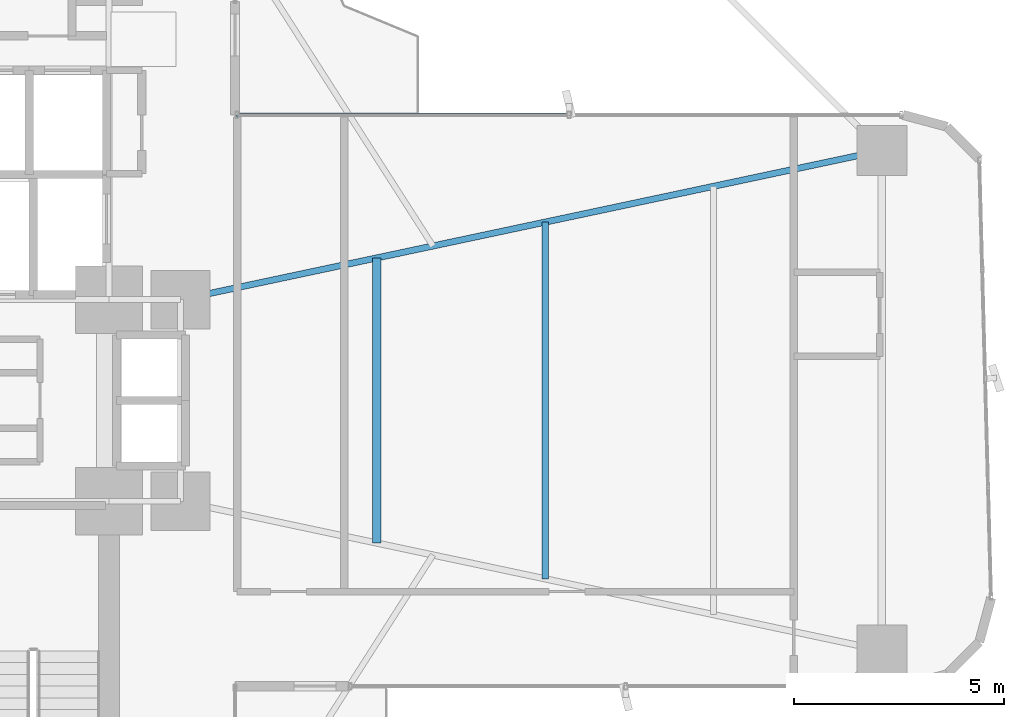
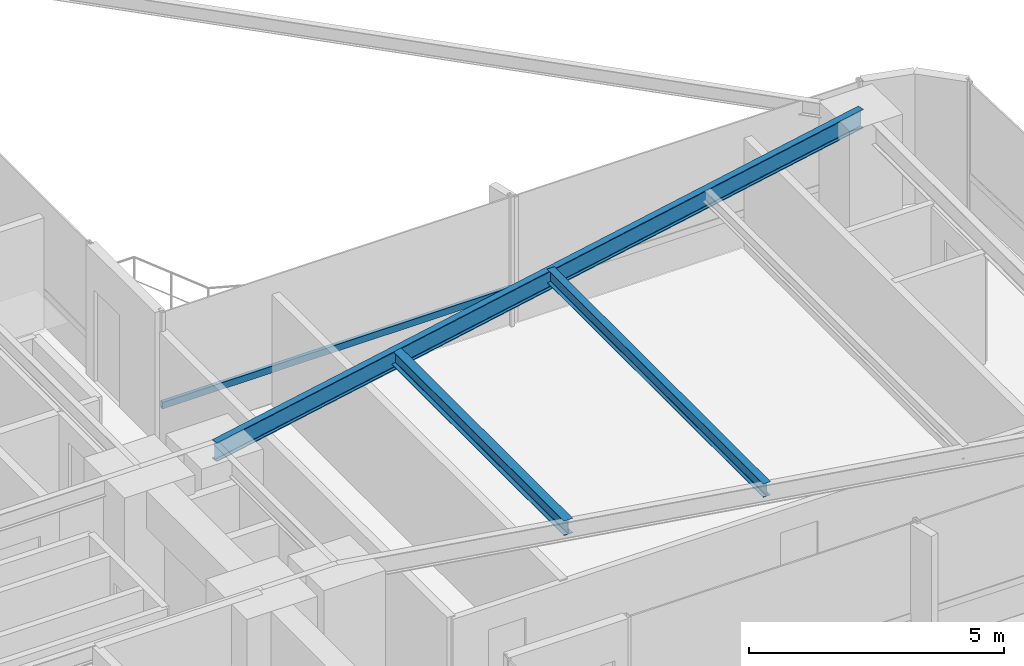
# One storey, part 15 of 25: 3 beams, 1 member, 1 element without a shape of its own.
"""IFC4 building model written with IfcOpenShell, lengths in metres."""

from ifc_helpers import new_model, si_unit, direction, frame, origin, origin_2d, place, context, subcontext, project, spatial, hollow_rectangle, i_section, extrude, source, transform, mapped, material, material_profile, profile_set, type_object, element, aggregate, save


model = new_model("IFC4")

# Units and contexts
model_context = context("Model", 3, precision=1e-05, world=origin(), true_north=direction((0.0, 1.0)))
body_context = subcontext(model_context, "Body", "Model", "MODEL_VIEW")
ifc_project = project(units=[si_unit("LENGTHUNIT", "METRE"), si_unit("AREAUNIT", "SQUARE_METRE"), si_unit("VOLUMEUNIT", "CUBIC_METRE"), si_unit("PLANEANGLEUNIT", "RADIAN"), si_unit("MASSUNIT", "GRAM", prefix="KILO")], contexts=[model_context])

# Site, building, storey
site_placement = place(None, origin())
site = spatial("IfcSite", under=ifc_project, at=site_placement, CompositionType="ELEMENT")
building_placement = place(site_placement, origin())
building = spatial("IfcBuilding", under=site, at=building_placement, Name="Sahyath Konkavel Grand Hotel", CompositionType="ELEMENT")
storey_placement = place(building_placement, frame((0.0, 0.0, 39.85009765625)))
storey = spatial("IfcBuildingStorey", under=building, at=storey_placement, Name="L10", CompositionType="ELEMENT", Elevation=39.85009765625)

# Beams
ifc_material_1 = material(Name="Steel E350", Category="steel")
ifc_material_profile_1 = material_profile(ifc_material_1, i_section(OverallWidth=0.14990234375, OverallDepth=0.449951171875, WebThickness=0.009521484375, FlangeThickness=0.017333984375, FilletRadius=0.014892578125, at=origin_2d()), Name="ISMB 450")
ifc_profile_set_1 = profile_set([ifc_material_profile_1], Name="Steel E350")
beam_type_1 = type_object("IfcBeamType", Name="BM-ISMB450", PredefinedType="BEAM", material=ifc_profile_set_1)
shared_shape_1 = source(origin(), body_context, "Body", "SweptSolid", [
    extrude(i_section(OverallWidth=0.14990234375, OverallDepth=0.449951171875, WebThickness=0.009521484375, FlangeThickness=0.017333984375, FilletRadius=0.014892578125, at=origin_2d()), origin(), (0.0, 0.0, 1.0), 17.072998046875),
])
beam_1_placement = place(storey_placement, frame((5.5, 2.39990234375, 2.885009765625), z_axis=(0.978143257225, 0.20793212437, 0.0), x_axis=(-0.20793212437, 0.978143257225, 0.0)))
element("IfcBeam", 1, at=beam_1_placement, inside=storey, type_object=beam_type_1, Name="L10 Cruciform Radial Girder EB", PredefinedType="BEAM", context=body_context, shape_type="MappedRepresentation", body=[
    mapped(shared_shape_1, transform((0.0, 0.0, 0.0), scale=1.0)),
])
ifc_material_profile_2 = material_profile(ifc_material_1, i_section(OverallWidth=0.199951171875, OverallDepth=0.35009765625, WebThickness=0.008056640625, FlangeThickness=0.011474609375, FilletRadius=0.013916015625, at=origin_2d()), Name="ISWB 350")
ifc_profile_set_2 = profile_set([ifc_material_profile_2], Name="Steel E350")
beam_type_2 = type_object("IfcBeamType", Name="BM-ISWB350", PredefinedType="BEAM", material=ifc_profile_set_2)
shared_shape_2 = source(origin(), body_context, "Body", "SweptSolid", [
    extrude(i_section(OverallWidth=0.199951171875, OverallDepth=0.35009765625, WebThickness=0.008056640625, FlangeThickness=0.011474609375, FilletRadius=0.013916015625, at=origin_2d()), origin(), (0.0, 0.0, 1.0), 6.7880859375),
])
beam_2_placement = place(storey_placement, frame((10.176025390625, -3.39404296875, 2.934814453125), z_axis=(0.0, 1.0, 0.0), x_axis=(-1.0, 0.0, 0.0)))
element("IfcBeam", 2, at=beam_2_placement, inside=storey, type_object=beam_type_2, Name="L10 Secondary Floor Beam E-1", PredefinedType="BEAM", context=body_context, shape_type="MappedRepresentation", body=[
    mapped(shared_shape_2, transform((0.0, 0.0, 0.0), scale=1.0)),
])
ifc_material_profile_3 = material_profile(ifc_material_1, i_section(OverallWidth=0.1650390625, OverallDepth=0.324951171875, WebThickness=0.007080078125, FlangeThickness=0.009765625, FilletRadius=0.014892578125, at=origin_2d()), Name="ISLB 325")
ifc_profile_set_3 = profile_set([ifc_material_profile_3], Name="Steel E350")
beam_type_3 = type_object("IfcBeamType", Name="BM-ISLB325", PredefinedType="BEAM", material=ifc_profile_set_3)
shared_shape_3 = source(origin(), body_context, "Body", "SweptSolid", [
    extrude(i_section(OverallWidth=0.1650390625, OverallDepth=0.324951171875, WebThickness=0.007080078125, FlangeThickness=0.009765625, FilletRadius=0.014892578125, at=origin_2d()), origin(), (0.0, 0.0, 1.0), 8.4921875),
])
beam_3_placement = place(storey_placement, frame((14.18408203125, -4.24609375, 2.947509765625), z_axis=(0.0, 1.0, 0.0), x_axis=(-1.0, 0.0, 0.0)))
element("IfcBeam", 3, at=beam_3_placement, inside=storey, type_object=beam_type_3, Name="L10 Secondary Floor Beam E-2", PredefinedType="BEAM", context=body_context, shape_type="MappedRepresentation", body=[
    mapped(shared_shape_3, transform((0.0, 0.0, 0.0), scale=1.0)),
])

# Curtain wall, member
ifc_material_2 = material(Name="Anodised Bronze Aluminium & Low-E Glazing", Category="aluminium")
curtain_wall_type = type_object("IfcCurtainWallType", Name="CW-ZONE1", PredefinedType="NOTDEFINED", material=ifc_material_2)
curtain_wall_placement = place(storey_placement, origin())
curtain_wall = element("IfcCurtainWall", 4, at=curtain_wall_placement, inside=storey, type_object=curtain_wall_type, Name="L10 Unitised Curtain Wall F7", PredefinedType="NOTDEFINED")
ifc_material_3 = material(Name="Anodised Bronze Aluminium", Category="aluminium")
ifc_material_profile_4 = material_profile(ifc_material_3, hollow_rectangle(XDim=0.080078125, YDim=0.159912109375, WallThickness=0.006103515625, at=origin_2d()), Name="RHS 160x80x6")
ifc_profile_set_4 = profile_set([ifc_material_profile_4], Name="Anodised Bronze Aluminium")
member_type = type_object("IfcMemberType", Name="CW-TRN-160", PredefinedType="USERDEFINED", material=ifc_profile_set_4)
shared_shape_4 = source(origin(), body_context, "Body", "SweptSolid", [
    extrude(hollow_rectangle(XDim=0.080078125, YDim=0.159912109375, WallThickness=0.006103515625, at=origin_2d()), origin(), (0.0, 0.0, 1.0), 7.909912109375),
])
member_placement = place(storey_placement, frame((14.75, 6.800048828125, 0.849853515625), z_axis=(-1.0, 0.0, 0.0), x_axis=(0.0, -1.0, 0.0)))
member = element("IfcMember", 5, at=member_placement, type_object=member_type, Name="L10 Curtain Wall Transom F7-1-spandrel", ObjectType="TRANSOM", PredefinedType="USERDEFINED", context=body_context, shape_type="MappedRepresentation", body=[
    mapped(shared_shape_4, transform((0.0, 0.0, 0.0), scale=1.0)),
])
aggregate(curtain_wall, [member])

save(model, "model.ifc")
